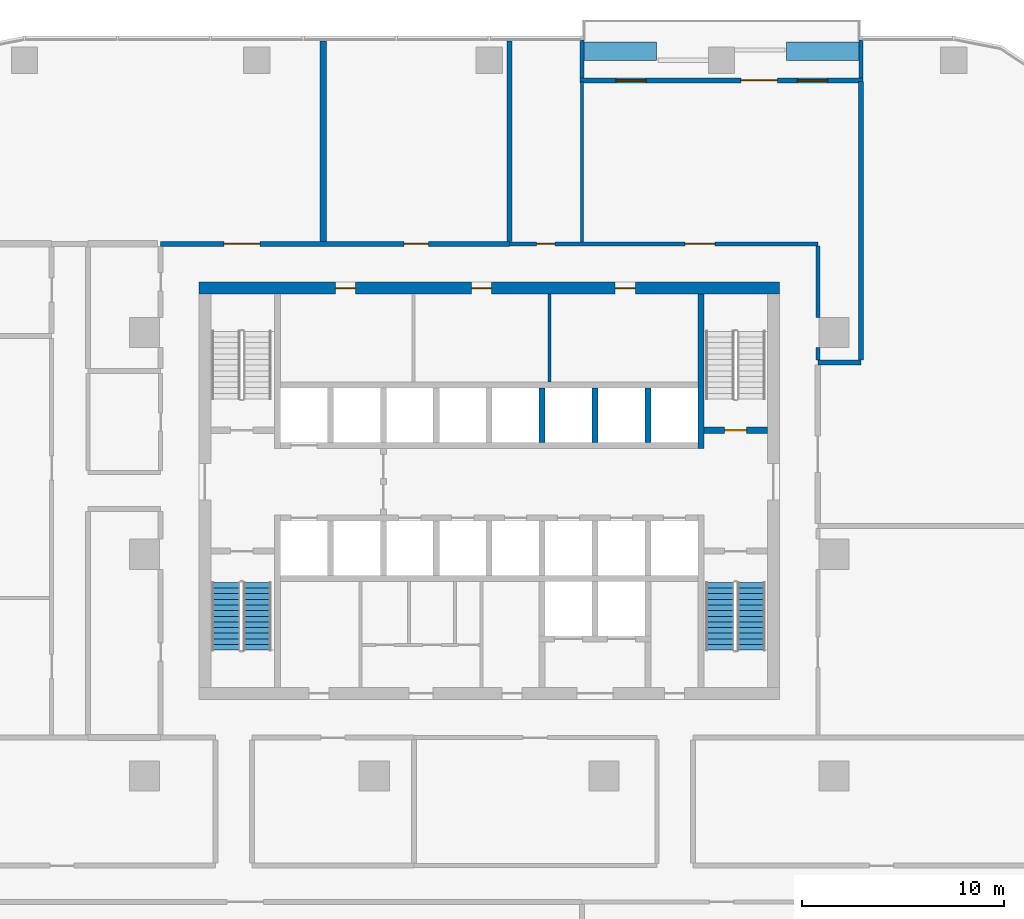
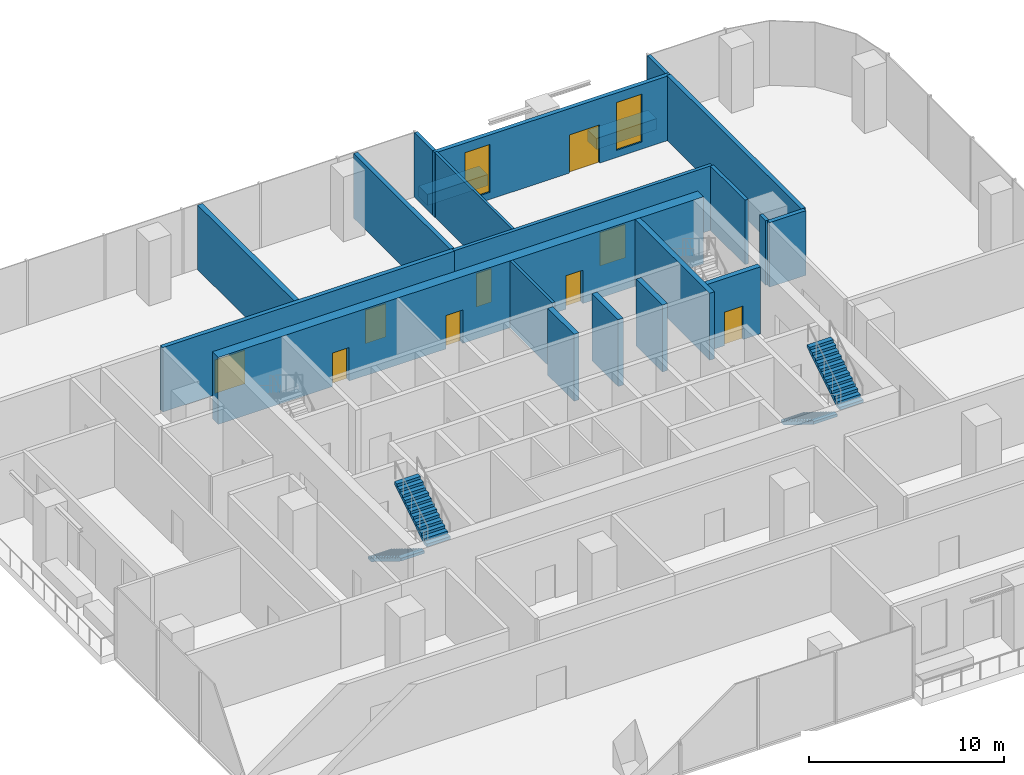
# One storey, part 10 of 15: 21 walls, 9 doors, 4 stair flights, 2 windows, 11 openings, 2 elements without a shape of their own.
"""IFC4 building model written with IfcOpenShell, lengths in metres."""

from ifc_helpers import new_model, si_unit, direction, frame, frame_2d, origin, place, context, subcontext, project, spatial, polyline, rectangle, outline, extrude, material, layer, layer_set, type_object, element, fill, aggregate, save


model = new_model("IFC4")

# Units and contexts
model_context = context("Model", 3, precision=1e-05, world=origin(), true_north=direction((0.0, 1.0)))
body_context = subcontext(model_context, "Body", "Model", "MODEL_VIEW")
ifc_project = project(units=[si_unit("LENGTHUNIT", "METRE"), si_unit("AREAUNIT", "SQUARE_METRE"), si_unit("VOLUMEUNIT", "CUBIC_METRE"), si_unit("PLANEANGLEUNIT", "RADIAN"), si_unit("MASSUNIT", "GRAM", prefix="KILO")], contexts=[model_context])

# Site, building, storey
site_placement = place(None, origin())
site = spatial("IfcSite", under=ifc_project, at=site_placement, CompositionType="ELEMENT")
building_placement = place(site_placement, origin())
building = spatial("IfcBuilding", under=site, at=building_placement, Name="Mopane Tessera Tower", CompositionType="ELEMENT")
storey_placement = place(building_placement, frame((0.0, 0.0, 103.60009765625)))
storey = spatial("IfcBuildingStorey", under=building, at=storey_placement, Name="L20", CompositionType="ELEMENT", Elevation=103.60009765625)

# Wall
ifc_material_1 = material(Name="Fire-rated gypsum board partition")
ifc_layer_1 = layer(ifc_material_1, 0.14990234375)
ifc_layer_set_1 = layer_set([ifc_layer_1], Name="Fire-rated gypsum board partition")
wall_type_1 = type_object("IfcWallType", Name="Core room partition 150 mm", PredefinedType="PARTITIONING", material=ifc_layer_set_1)
wall_1_placement = place(storey_placement, frame((3.0, 8.550048828125, 0.0), z_axis=(0.0, 0.0, 1.0), x_axis=(0.0, 1.0, 0.0)))
element("IfcWall", 1, at=wall_1_placement, inside=storey, type_object=wall_type_1, Name="L20 Room partition", PredefinedType="PARTITIONING", context=body_context, shape_type="SweptSolid", body=[
    extrude(rectangle(XDim=4.349853515625, YDim=0.14990234375, at=frame_2d((2.1748046875, 0.0))), origin(), (0.0, 0.0, 1.0), 4.199951171875),
])

# Wall, openings, doors
ifc_material_2 = material(Name="Concrete C70/85", Category="concrete")
ifc_layer_2 = layer(ifc_material_2, 0.60009765625)
ifc_layer_set_2 = layer_set([ifc_layer_2], Name="Concrete C70/85")
wall_type_2 = type_object("IfcWallType", Name="Core shear wall 600 mm", PredefinedType="SHEAR", material=ifc_layer_set_2)
wall_2_placement = place(storey_placement, frame((-14.39990234375, 13.199951171875, 0.0), z_axis=(0.0, 0.0, 1.0), x_axis=(1.0, 0.0, 0.0)))
wall_2 = element("IfcWall", 2, at=wall_2_placement, inside=storey, type_object=wall_type_2, Name="L20 Core wall north", PredefinedType="SHEAR", context=body_context, shape_type="SweptSolid", body=[
    extrude(rectangle(XDim=28.7998046875, YDim=0.60009765625, at=frame_2d((14.39990234375, 0.0))), origin(), (0.0, 0.0, 1.0), 4.199951171875),
])
opening_1_placement = place(wall_2_placement, frame((6.77490234375, 0.0, 0.0)))
opening_1 = element("IfcOpeningElement", 3, at=opening_1_placement, cuts=wall_2, Name="Opening RD1", PredefinedType="OPENING", context=body_context, shape_type="SweptSolid", body=[
    extrude(rectangle(XDim=1.0, YDim=2.10009765625, at=frame_2d((0.5, 1.050048828125))), frame((0.0, 0.31201171875, 0.0), z_axis=(0.0, -1.0, 0.0), x_axis=(1.0, 0.0, 0.0)), (0.0, 0.0, 1.0), 0.6240234375),
])
opening_2_placement = place(wall_2_placement, frame((13.52490234375, 0.0, 0.0)))
opening_2 = element("IfcOpeningElement", 4, at=opening_2_placement, cuts=wall_2, Name="Opening RD1", PredefinedType="OPENING", context=body_context, shape_type="SweptSolid", body=[
    extrude(rectangle(XDim=1.0, YDim=2.10009765625, at=frame_2d((0.5, 1.050048828125))), frame((0.0, 0.31201171875, 0.0), z_axis=(0.0, -1.0, 0.0), x_axis=(1.0, 0.0, 0.0)), (0.0, 0.0, 1.0), 0.6240234375),
])
opening_3_placement = place(wall_2_placement, frame((20.64990234375, 0.0, 0.0)))
opening_3 = element("IfcOpeningElement", 5, at=opening_3_placement, cuts=wall_2, Name="Opening RD1", PredefinedType="OPENING", context=body_context, shape_type="SweptSolid", body=[
    extrude(rectangle(XDim=1.0, YDim=2.10009765625, at=frame_2d((0.5, 1.050048828125))), frame((0.0, 0.31201171875, 0.0), z_axis=(0.0, -1.0, 0.0), x_axis=(1.0, 0.0, 0.0)), (0.0, 0.0, 1.0), 0.6240234375),
])
ifc_material_3 = material(Name="Timber door", Category="wood")
door_type_1 = type_object("IfcDoorType", Name="Core room door 1000 x 2100", OperationType="SINGLE_SWING_LEFT", PredefinedType="DOOR", material=ifc_material_3)
door_1_placement = place(opening_1_placement, origin())
door_1 = element("IfcDoor", 6, at=door_1_placement, inside=storey, type_object=door_type_1, Name="L20 Room door", OperationType="SINGLE_SWING_LEFT", OverallHeight=2.10009765625, OverallWidth=1.0, PredefinedType="DOOR", context=body_context, shape_type="SweptSolid", body=[
    extrude(rectangle(XDim=1.0, YDim=2.10009765625, at=frame_2d((0.5, 1.050048828125))), frame((0.0, 0.02490234375, 0.0), z_axis=(0.0, -1.0, 0.0), x_axis=(1.0, 0.0, 0.0)), (0.0, 0.0, 1.0), 0.050048828125),
])
fill(opening_1, door_1)
door_2_placement = place(opening_2_placement, origin())
door_2 = element("IfcDoor", 7, at=door_2_placement, inside=storey, type_object=door_type_1, Name="L20 Room door", OperationType="SINGLE_SWING_LEFT", OverallHeight=2.10009765625, OverallWidth=1.0, PredefinedType="DOOR", context=body_context, shape_type="SweptSolid", body=[
    extrude(rectangle(XDim=1.0, YDim=2.10009765625, at=frame_2d((0.5, 1.050048828125))), frame((0.0, 0.02490234375, 0.0), z_axis=(0.0, -1.0, 0.0), x_axis=(1.0, 0.0, 0.0)), (0.0, 0.0, 1.0), 0.050048828125),
])
fill(opening_2, door_2)
door_3_placement = place(opening_3_placement, origin())
door_3 = element("IfcDoor", 8, at=door_3_placement, inside=storey, type_object=door_type_1, Name="L20 Room door", OperationType="SINGLE_SWING_LEFT", OverallHeight=2.10009765625, OverallWidth=1.0, PredefinedType="DOOR", context=body_context, shape_type="SweptSolid", body=[
    extrude(rectangle(XDim=1.0, YDim=2.10009765625, at=frame_2d((0.5, 1.050048828125))), frame((0.0, 0.02490234375, 0.0), z_axis=(0.0, -1.0, 0.0), x_axis=(1.0, 0.0, 0.0)), (0.0, 0.0, 1.0), 0.050048828125),
])
fill(opening_3, door_3)

# Wall
ifc_material_4 = material(Name="Concrete C60/75", Category="concrete")
ifc_layer_3 = layer(ifc_material_4, 0.300048828125)
ifc_layer_set_3 = layer_set([ifc_layer_3], Name="Concrete C60/75")
wall_type_3 = type_object("IfcWallType", Name="Core spine wall 300 mm", PredefinedType="SHEAR", material=ifc_layer_set_3)
wall_3_placement = place(storey_placement, frame((10.5, 5.25, 0.0), z_axis=(0.0, 0.0, 1.0), x_axis=(0.0, 1.0, 0.0)))
element("IfcWall", 9, at=wall_3_placement, inside=storey, type_object=wall_type_3, Name="L20 Core spine wall", PredefinedType="SHEAR", context=body_context, shape_type="SweptSolid", body=[
    extrude(rectangle(XDim=7.64990234375, YDim=0.300048828125, at=frame_2d((3.824951171875, 0.0))), origin(), (0.0, 0.0, 1.0), 4.199951171875),
])

# Wall, openings, doors
ifc_material_5 = material(Name="Gypsum board on steel studs, two layers each face, mineral wool infill", Category="steel")
ifc_layer_4 = layer(ifc_material_5, 0.199951171875)
ifc_layer_set_4 = layer_set([ifc_layer_4], Name="Gypsum board on steel studs, two layers each face, mineral wool infill")
wall_type_4 = type_object("IfcWallType", Name="Gypsum board corridor wall 200, rated EI 60", PredefinedType="PARTITIONING", material=ifc_layer_set_4)
wall_4_placement = place(storey_placement, frame((1.0, 15.39990234375, 0.0), z_axis=(0.0, 0.0, 1.0), x_axis=(1.0, 0.0, 0.0)))
wall_4 = element("IfcWall", 10, at=wall_4_placement, inside=storey, type_object=wall_type_4, Name="Partition L20:019", PredefinedType="PARTITIONING", context=body_context, shape_type="SweptSolid", body=[
    extrude(rectangle(XDim=15.300048828125, YDim=0.199951171875, at=frame_2d((7.64990234375, 0.0))), origin(), (0.0, 0.0, 1.0), 4.0498046875),
])
opening_4_placement = place(wall_4_placement, frame((1.35498046875, 0.0, 0.0)))
opening_4 = element("IfcOpeningElement", 11, at=opening_4_placement, cuts=wall_4, Name="Opening L20-12", PredefinedType="OPENING", context=body_context, shape_type="SweptSolid", body=[
    extrude(rectangle(XDim=0.89990234375, YDim=2.10009765625, at=frame_2d((0.449951171875, 1.050048828125))), frame((0.0, 0.112060546875, 0.0), z_axis=(0.0, -1.0, 0.0), x_axis=(1.0, 0.0, 0.0)), (0.0, 0.0, 1.0), 0.223876953125),
])
opening_5_placement = place(wall_4_placement, frame((8.705078125, 0.0, 0.0)))
opening_5 = element("IfcOpeningElement", 12, at=opening_5_placement, cuts=wall_4, Name="Opening L20-17", PredefinedType="OPENING", context=body_context, shape_type="SweptSolid", body=[
    extrude(rectangle(XDim=1.5, YDim=2.10009765625, at=frame_2d((0.75, 1.050048828125))), frame((0.0, 0.112060546875, 0.0), z_axis=(0.0, -1.0, 0.0), x_axis=(1.0, 0.0, 0.0)), (0.0, 0.0, 1.0), 0.223876953125),
])
ifc_material_6 = material(Name="Timber veneered steel-framed fire door", Category="steel")
door_type_2 = type_object("IfcDoorType", Name="Fire door FD60 900 x 2100", OperationType="SINGLE_SWING_LEFT", PredefinedType="DOOR", material=ifc_material_6)
door_4_placement = place(opening_4_placement, origin())
door_4 = element("IfcDoor", 13, at=door_4_placement, inside=storey, type_object=door_type_2, Name="Door L20-12", ObjectType="D10A", OperationType="SINGLE_SWING_LEFT", OverallHeight=2.10009765625, OverallWidth=0.89990234375, PredefinedType="DOOR", context=body_context, shape_type="SweptSolid", body=[
    extrude(rectangle(XDim=0.89990234375, YDim=2.10009765625, at=frame_2d((0.449951171875, 1.050048828125))), frame((0.0, 0.02490234375, 0.0), z_axis=(0.0, -1.0, 0.0), x_axis=(1.0, 0.0, 0.0)), (0.0, 0.0, 1.0), 0.050048828125),
])
fill(opening_4, door_4)
ifc_material_7 = material(Name="Timber veneered steel-framed fire door", Category="steel")
door_type_3 = type_object("IfcDoorType", Name="Fire door pair FD60 1500 x 2100", OperationType="DOUBLE_DOOR_SINGLE_SWING", PredefinedType="DOOR", material=ifc_material_7)
door_5_placement = place(opening_5_placement, origin())
door_5 = element("IfcDoor", 14, at=door_5_placement, inside=storey, type_object=door_type_3, Name="Door L20-17", ObjectType="D17A", OperationType="DOUBLE_DOOR_SINGLE_SWING", OverallHeight=2.10009765625, OverallWidth=1.5, PredefinedType="DOOR", context=body_context, shape_type="SweptSolid", body=[
    extrude(rectangle(XDim=1.5, YDim=2.10009765625, at=frame_2d((0.75, 1.050048828125))), frame((0.0, 0.02490234375, 0.0), z_axis=(0.0, -1.0, 0.0), x_axis=(1.0, 0.0, 0.0)), (0.0, 0.0, 1.0), 0.050048828125),
])
fill(opening_5, door_5)

# Walls
wall_5_placement = place(storey_placement, frame((16.300048828125, 9.625, 0.0), z_axis=(0.0, 0.0, 1.0), x_axis=(0.0, 1.0, 0.0)))
element("IfcWall", 15, at=wall_5_placement, inside=storey, type_object=wall_type_4, Name="Partition L20:045", PredefinedType="PARTITIONING", context=body_context, shape_type="SweptSolid", body=[
    extrude(rectangle(XDim=0.625, YDim=0.199951171875, at=frame_2d((0.3125, 0.0))), origin(), (0.0, 0.0, 1.0), 4.0498046875),
])
wall_6_placement = place(storey_placement, frame((16.300048828125, 11.75, 0.0), z_axis=(0.0, 0.0, 1.0), x_axis=(0.0, 1.0, 0.0)))
element("IfcWall", 16, at=wall_6_placement, inside=storey, type_object=wall_type_4, Name="Partition L20:046", PredefinedType="PARTITIONING", context=body_context, shape_type="SweptSolid", body=[
    extrude(rectangle(XDim=3.550048828125, YDim=0.199951171875, at=frame_2d((1.77490234375, 0.0))), origin(), (0.0, 0.0, 1.0), 4.0498046875),
])
ifc_material_8 = material(Name="Gypsum board on steel studs, mineral wool infill", Category="steel")
ifc_layer_5 = layer(ifc_material_8, 0.14990234375)
ifc_layer_set_5 = layer_set([ifc_layer_5], Name="Gypsum board on steel studs, mineral wool infill")
wall_type_5 = type_object("IfcWallType", Name="Gypsum board partition 150, rated EI 60", PredefinedType="PARTITIONING", material=ifc_layer_set_5)
wall_7_placement = place(storey_placement, frame((4.610107421875, 15.5, 0.0), z_axis=(0.0, 0.0, 1.0), x_axis=(0.0, 1.0, 0.0)))
element("IfcWall", 17, at=wall_7_placement, inside=storey, type_object=wall_type_5, Name="Partition L20:039", PredefinedType="PARTITIONING", context=body_context, shape_type="SweptSolid", body=[
    extrude(rectangle(XDim=7.949951171875, YDim=0.14990234375, at=frame_2d((3.97509765625, 0.0))), origin(), (0.0, 0.0, 1.0), 4.0498046875),
])

# Wall, opening, door
ifc_material_9 = material(Name="Concrete C50/60", Category="concrete")
ifc_layer_6 = layer(ifc_material_9, 0.300048828125)
ifc_layer_set_6 = layer_set([ifc_layer_6], Name="Concrete C50/60")
wall_type_6 = type_object("IfcWallType", Name="Lift and stair shaft wall 300 mm", PredefinedType="SOLIDWALL", material=ifc_layer_set_6)
wall_8_placement = place(storey_placement, frame((10.64990234375, 6.14990234375, 0.0), z_axis=(0.0, 0.0, 1.0), x_axis=(1.0, 0.0, 0.0)))
wall_8 = element("IfcWall", 18, at=wall_8_placement, inside=storey, type_object=wall_type_6, Name="L20 Stair enclosure wall", PredefinedType="SOLIDWALL", context=body_context, shape_type="SweptSolid", body=[
    extrude(rectangle(XDim=3.150146484375, YDim=0.300048828125, at=frame_2d((1.5751953125, 0.0))), origin(), (0.0, 0.0, 1.0), 4.199951171875),
])
opening_6_placement = place(wall_8_placement, frame((1.02490234375, 0.0, 0.0)))
opening_6 = element("IfcOpeningElement", 19, at=opening_6_placement, cuts=wall_8, Name="Opening SD1", PredefinedType="OPENING", context=body_context, shape_type="SweptSolid", body=[
    extrude(rectangle(XDim=1.10009765625, YDim=2.10009765625, at=frame_2d((0.550048828125, 1.050048828125))), frame((0.0, 0.162109375, 0.0), z_axis=(0.0, -1.0, 0.0), x_axis=(1.0, 0.0, 0.0)), (0.0, 0.0, 1.0), 0.323974609375),
])
ifc_material_10 = material(Name="Steel fire door", Category="steel")
door_type_4 = type_object("IfcDoorType", Name="Stair fire door 1100 x 2100", OperationType="SINGLE_SWING_LEFT", PredefinedType="DOOR", material=ifc_material_10)
door_6_placement = place(opening_6_placement, origin())
door_6 = element("IfcDoor", 20, at=door_6_placement, inside=storey, type_object=door_type_4, Name="L20 Stair door ST4", OperationType="SINGLE_SWING_RIGHT", OverallHeight=2.10009765625, OverallWidth=1.10009765625, PredefinedType="DOOR", context=body_context, shape_type="SweptSolid", body=[
    extrude(rectangle(XDim=1.10009765625, YDim=2.10009765625, at=frame_2d((0.550048828125, 1.050048828125))), frame((0.0, 0.02490234375, 0.0), z_axis=(0.0, -1.0, 0.0), x_axis=(1.0, 0.0, 0.0)), (0.0, 0.0, 1.0), 0.050048828125),
])
fill(opening_6, door_6)

# Walls
for number, where, z_axis, x_axis, name in (
    (21, (2.625, 5.550048828125, 0.0), (0.0, 0.0, 1.0), (0.0, 1.0, 0.0), "L20 Lift shaft wall"),
    (22, (5.25, 5.550048828125, 0.0), (0.0, 0.0, 1.0), (0.0, 1.0, 0.0), "L20 Lift shaft wall"),
    (23, (7.875, 5.550048828125, 0.0), (0.0, 0.0, 1.0), (0.0, 1.0, 0.0), "L20 Lift shaft wall"),
):
    element("IfcWall", number, at=place(storey_placement, frame(where, z_axis=z_axis, x_axis=x_axis)), inside=storey, type_object=wall_type_6, Name=name, PredefinedType="SOLIDWALL", context=body_context, shape_type="SweptSolid", body=[
        extrude(rectangle(XDim=2.699951171875, YDim=0.300048828125, at=frame_2d((1.35009765625, 0.0))), origin(), (0.0, 0.0, 1.0), 4.199951171875),
    ])
ifc_material_11 = material(Name="Reinforced concrete C32/40 with waterproofing", Category="concrete")
ifc_layer_7 = layer(ifc_material_11, 0.89990234375)
ifc_layer_set_7 = layer_set([ifc_layer_7], Name="Reinforced concrete C32/40 with waterproofing")
wall_type_7 = type_object("IfcWallType", Name="Planter trough 3600 x 900", PredefinedType="STANDARD", material=ifc_layer_set_7)
for number, where, z_axis, x_axis, name in (
    (24, (18.340087890625, 24.949951171875, 0.0), (0.0, 0.0, 1.0), (-1.0, 0.0, 0.0), "e:nw:L20:N1:pl0"),
    (25, (8.31005859375, 24.949951171875, 0.0), (0.0, 0.0, 1.0), (-1.0, 0.0, 0.0), "e:nw:L20:N1:pl1"),
):
    element("IfcWall", number, at=place(storey_placement, frame(where, z_axis=z_axis, x_axis=x_axis)), inside=storey, type_object=wall_type_7, Name=name, PredefinedType="STANDARD", context=body_context, shape_type="SweptSolid", body=[
        extrude(rectangle(XDim=3.60009765625, YDim=0.89990234375, at=frame_2d((1.800048828125, 0.0))), origin(), (0.0, 0.0, 1.0), 0.699951171875),
    ])
ifc_material_12 = material(Name="Plastered concrete blockwork C20/25", Category="masonry")
ifc_layer_8 = layer(ifc_material_12, 0.300048828125)
ifc_layer_set_8 = layer_set([ifc_layer_8], Name="Plastered concrete blockwork C20/25")
wall_type_8 = type_object("IfcWallType", Name="Plastered blockwork separation wall 300, rated EI 120", PredefinedType="PARTITIONING", material=ifc_layer_set_8)
wall_9_placement = place(storey_placement, frame((-8.22998046875, 15.52490234375, 0.0), z_axis=(0.0, 0.0, 1.0), x_axis=(0.0, 1.0, 0.0)))
element("IfcWall", 26, at=wall_9_placement, inside=storey, type_object=wall_type_8, Name="Partition L20:036", PredefinedType="PARTITIONING", context=body_context, shape_type="SweptSolid", body=[
    extrude(rectangle(XDim=9.925048828125, YDim=0.300048828125, at=frame_2d((4.96240234375, 0.0))), origin(), (0.0, 0.0, 1.0), 4.0498046875),
])
ifc_material_13 = material(Name="Plastered concrete blockwork C20/25", Category="masonry")
ifc_layer_9 = layer(ifc_material_13, 0.25)
ifc_layer_set_9 = layer_set([ifc_layer_9], Name="Plastered concrete blockwork C20/25")
wall_type_9 = type_object("IfcWallType", Name="Plastered blockwork wall 250, rated EI 120", PredefinedType="PARTITIONING", material=ifc_layer_set_9)
wall_10_placement = place(storey_placement, frame((16.300048828125, 9.5, 0.0), z_axis=(0.0, 0.0, 1.0), x_axis=(1.0, 0.0, 0.0)))
element("IfcWall", 27, at=wall_10_placement, inside=storey, type_object=wall_type_9, Name="Partition L20:017", PredefinedType="PARTITIONING", context=body_context, shape_type="SweptSolid", body=[
    extrude(rectangle(XDim=2.139892578125, YDim=0.25, at=frame_2d((1.06982421875, 0.0))), origin(), (0.0, 0.0, 1.0), 4.0498046875),
])

# Wall, openings, doors
wall_11_placement = place(storey_placement, frame((-16.300048828125, 15.39990234375, 0.0), z_axis=(0.0, 0.0, 1.0), x_axis=(1.0, 0.0, 0.0)))
wall_11 = element("IfcWall", 28, at=wall_11_placement, inside=storey, type_object=wall_type_9, Name="Partition L20:021", PredefinedType="PARTITIONING", context=body_context, shape_type="SweptSolid", body=[
    extrude(rectangle(XDim=17.300048828125, YDim=0.25, at=frame_2d((8.64990234375, 0.0))), origin(), (0.0, 0.0, 1.0), 4.0498046875),
])
opening_7_placement = place(wall_11_placement, frame((12.0849609375, 0.0, 0.0)))
opening_7 = element("IfcOpeningElement", 29, at=opening_7_placement, cuts=wall_11, Name="Opening L20-05", PredefinedType="OPENING", context=body_context, shape_type="SweptSolid", body=[
    extrude(rectangle(XDim=1.199951171875, YDim=2.10009765625, at=frame_2d((0.60009765625, 1.050048828125))), frame((0.0, 0.136962890625, 0.0), z_axis=(0.0, -1.0, 0.0), x_axis=(1.0, 0.0, 0.0)), (0.0, 0.0, 1.0), 0.27392578125),
])
opening_8_placement = place(wall_11_placement, frame((3.135009765625, 0.0, 0.0)))
opening_8 = element("IfcOpeningElement", 30, at=opening_8_placement, cuts=wall_11, Name="Opening L20-10", PredefinedType="OPENING", context=body_context, shape_type="SweptSolid", body=[
    extrude(rectangle(XDim=1.800048828125, YDim=2.10009765625, at=frame_2d((0.89990234375, 1.050048828125))), frame((0.0, 0.136962890625, 0.0), z_axis=(0.0, -1.0, 0.0), x_axis=(1.0, 0.0, 0.0)), (0.0, 0.0, 1.0), 0.27392578125),
])
ifc_material_14 = material(Name="Timber veneered steel-framed fire door", Category="steel")
door_type_5 = type_object("IfcDoorType", Name="Fire door FD120 1200 x 2100", OperationType="SINGLE_SWING_LEFT", PredefinedType="DOOR", material=ifc_material_14)
door_7_placement = place(opening_7_placement, origin())
door_7 = element("IfcDoor", 31, at=door_7_placement, inside=storey, type_object=door_type_5, Name="Door L20-05", ObjectType="D15B", OperationType="SINGLE_SWING_LEFT", OverallHeight=2.10009765625, OverallWidth=1.199951171875, PredefinedType="DOOR", context=body_context, shape_type="SweptSolid", body=[
    extrude(rectangle(XDim=1.199951171875, YDim=2.10009765625, at=frame_2d((0.60009765625, 1.050048828125))), frame((0.0, 0.02490234375, 0.0), z_axis=(0.0, -1.0, 0.0), x_axis=(1.0, 0.0, 0.0)), (0.0, 0.0, 1.0), 0.050048828125),
])
fill(opening_7, door_7)
ifc_material_15 = material(Name="Timber veneered steel-framed fire door", Category="steel")
door_type_6 = type_object("IfcDoorType", Name="Fire door pair FD120 1800 x 2100", OperationType="DOUBLE_DOOR_SINGLE_SWING", PredefinedType="DOOR", material=ifc_material_15)
door_8_placement = place(opening_8_placement, origin())
door_8 = element("IfcDoor", 32, at=door_8_placement, inside=storey, type_object=door_type_6, Name="Door L20-10", ObjectType="D20B", OperationType="DOUBLE_DOOR_SINGLE_SWING", OverallHeight=2.10009765625, OverallWidth=1.800048828125, PredefinedType="DOOR", context=body_context, shape_type="SweptSolid", body=[
    extrude(rectangle(XDim=1.800048828125, YDim=2.10009765625, at=frame_2d((0.89990234375, 1.050048828125))), frame((0.0, 0.02490234375, 0.0), z_axis=(0.0, -1.0, 0.0), x_axis=(1.0, 0.0, 0.0)), (0.0, 0.0, 1.0), 0.050048828125),
])
fill(opening_8, door_8)

# Walls
wall_12_placement = place(storey_placement, frame((1.0, 15.52490234375, 0.0), z_axis=(0.0, 0.0, 1.0), x_axis=(0.0, 1.0, 0.0)))
element("IfcWall", 33, at=wall_12_placement, inside=storey, type_object=wall_type_9, Name="Partition L20:038", PredefinedType="PARTITIONING", context=body_context, shape_type="SweptSolid", body=[
    extrude(rectangle(XDim=9.925048828125, YDim=0.25, at=frame_2d((4.96240234375, 0.0))), origin(), (0.0, 0.0, 1.0), 4.0498046875),
])
wall_13_placement = place(storey_placement, frame((18.43994140625, 9.625, 0.0), z_axis=(0.0, 0.0, 1.0), x_axis=(0.0, 1.0, 0.0)))
element("IfcWall", 34, at=wall_13_placement, inside=storey, type_object=wall_type_9, Name="Partition L20:049", PredefinedType="PARTITIONING", context=body_context, shape_type="SweptSolid", body=[
    extrude(rectangle(XDim=13.824951171875, YDim=0.25, at=frame_2d((6.91259765625, 0.0))), origin(), (0.0, 0.0, 1.0), 4.0498046875),
])
ifc_material_16 = material(Name="Blockwork with glazed tile facing", Category="masonry")
ifc_layer_10 = layer(ifc_material_16, 0.199951171875)
ifc_layer_set_10 = layer_set([ifc_layer_10], Name="Blockwork with glazed tile facing")
wall_type_10 = type_object("IfcWallType", Name="Terrace cheek wall 200", PredefinedType="STANDARD", material=ifc_layer_set_10)
for number, where, z_axis, x_axis, name in (
    (35, (18.43994140625, 25.5, 0.0), (0.0, 0.0, 1.0), (0.0, -1.0, 0.0), "e:nw:L20:N1:cheeka"),
    (36, (4.610107421875, 25.5, 0.0), (0.0, 0.0, 1.0), (0.0, -1.0, 0.0), "e:nw:L20:N1:cheekb"),
):
    element("IfcWall", number, at=place(storey_placement, frame(where, z_axis=z_axis, x_axis=x_axis)), inside=storey, type_object=wall_type_10, Name=name, PredefinedType="STANDARD", context=body_context, shape_type="SweptSolid", body=[
        extrude(rectangle(XDim=1.875, YDim=0.199951171875, at=frame_2d((0.9375, 0.0))), origin(), (0.0, 0.0, 1.0), 4.0498046875),
    ])

# Wall, openings, windows, door
ifc_material_17 = material(Name="Blockwork with turquoise glazed tile facing", Category="masonry")
ifc_layer_11 = layer(ifc_material_17, 0.25)
ifc_layer_set_11 = layer_set([ifc_layer_11], Name="Blockwork with turquoise glazed tile facing")
wall_type_11 = type_object("IfcWallType", Name="Tile-clad external wall 250, turquoise", PredefinedType="STANDARD", material=ifc_layer_set_11)
wall_14_placement = place(storey_placement, frame((18.5400390625, 23.5, 0.0), z_axis=(0.0, 0.0, 1.0), x_axis=(-1.0, 0.0, 0.0)))
wall_14 = element("IfcWall", 37, at=wall_14_placement, inside=storey, type_object=wall_type_11, Name="e:nw:L20:N1:back", PredefinedType="STANDARD", context=body_context, shape_type="SweptSolid", body=[
    extrude(rectangle(XDim=14.030029296875, YDim=0.25, at=frame_2d((7.01513671875, 0.0))), origin(), (0.0, 0.0, 1.0), 4.0498046875),
])
opening_9_placement = place(wall_14_placement, frame((1.75, 0.0, 0.449951171875)))
opening_9 = element("IfcOpeningElement", 38, at=opening_9_placement, cuts=wall_14, Name="Opening NW201A", PredefinedType="OPENING", context=body_context, shape_type="SweptSolid", body=[
    extrude(rectangle(XDim=1.5, YDim=3.0, at=frame_2d((0.75, 1.5))), frame((0.0, 0.136962890625, 0.0), z_axis=(0.0, -1.0, 0.0), x_axis=(1.0, 0.0, 0.0)), (0.0, 0.0, 1.0), 0.27392578125),
])
opening_10_placement = place(wall_14_placement, frame((4.25, 0.0, 0.0)))
opening_10 = element("IfcOpeningElement", 39, at=opening_10_placement, cuts=wall_14, Name="Opening ND201", PredefinedType="OPENING", context=body_context, shape_type="SweptSolid", body=[
    extrude(rectangle(XDim=1.800048828125, YDim=2.39990234375, at=frame_2d((0.89990234375, 1.199951171875))), frame((0.0, 0.136962890625, 0.0), z_axis=(0.0, -1.0, 0.0), x_axis=(1.0, 0.0, 0.0)), (0.0, 0.0, 1.0), 0.27392578125),
])
opening_11_placement = place(wall_14_placement, frame((10.75, 0.0, 0.449951171875)))
opening_11 = element("IfcOpeningElement", 40, at=opening_11_placement, cuts=wall_14, Name="Opening NW201B", PredefinedType="OPENING", context=body_context, shape_type="SweptSolid", body=[
    extrude(rectangle(XDim=1.5, YDim=3.0, at=frame_2d((0.75, 1.5))), frame((0.0, 0.136962890625, 0.0), z_axis=(0.0, -1.0, 0.0), x_axis=(1.0, 0.0, 0.0)), (0.0, 0.0, 1.0), 0.27392578125),
])
ifc_material_18 = material(Name="Clear laminated glass", Category="glass")
window_type = type_object("IfcWindowType", Name="Fixed window 1500 x 3000", PartitioningType="SINGLE_PANEL", PredefinedType="WINDOW", material=ifc_material_18)
window_1_placement = place(opening_9_placement, origin())
window_1 = element("IfcWindow", 41, at=window_1_placement, inside=storey, type_object=window_type, Name="e:nw:L20:N1:win0", OverallHeight=3.0, OverallWidth=1.5, PartitioningType="SINGLE_PANEL", PredefinedType="WINDOW", context=body_context, shape_type="SweptSolid", body=[
    extrude(rectangle(XDim=1.5, YDim=3.0, at=frame_2d((0.75, 1.5))), frame((0.0, 0.030029296875, 0.0), z_axis=(0.0, -1.0, 0.0), x_axis=(1.0, 0.0, 0.0)), (0.0, 0.0, 1.0), 0.06005859375),
])
fill(opening_9, window_1)
window_2_placement = place(opening_11_placement, origin())
window_2 = element("IfcWindow", 42, at=window_2_placement, inside=storey, type_object=window_type, Name="e:nw:L20:N1:win2", OverallHeight=3.0, OverallWidth=1.5, PartitioningType="SINGLE_PANEL", PredefinedType="WINDOW", context=body_context, shape_type="SweptSolid", body=[
    extrude(rectangle(XDim=1.5, YDim=3.0, at=frame_2d((0.75, 1.5))), frame((0.0, 0.030029296875, 0.0), z_axis=(0.0, -1.0, 0.0), x_axis=(1.0, 0.0, 0.0)), (0.0, 0.0, 1.0), 0.06005859375),
])
fill(opening_11, window_2)
ifc_material_19 = material(Name="Aluminium and clear glass", Category="aluminium")
door_type_7 = type_object("IfcDoorType", Name="Terrace double door 1800 x 2400", OperationType="DOUBLE_DOOR_SINGLE_SWING", PredefinedType="DOOR", material=ifc_material_19)
door_9_placement = place(opening_10_placement, origin())
door_9 = element("IfcDoor", 43, at=door_9_placement, inside=storey, type_object=door_type_7, Name="e:nw:L20:N1:door", ObjectType="D1", OperationType="DOUBLE_DOOR_SINGLE_SWING", OverallHeight=2.39990234375, OverallWidth=1.800048828125, PredefinedType="DOOR", context=body_context, shape_type="SweptSolid", body=[
    extrude(rectangle(XDim=1.800048828125, YDim=2.39990234375, at=frame_2d((0.89990234375, 1.199951171875))), frame((0.0, 0.02490234375, 0.0), z_axis=(0.0, -1.0, 0.0), x_axis=(1.0, 0.0, 0.0)), (0.0, 0.0, 1.0), 0.050048828125),
])
fill(opening_10, door_9)

# Stair, stair flights
ifc_material_20 = material(Name="Concrete C50/60", Category="concrete")
stair_type = type_object("IfcStairType", Name="Escape stair 1400 mm, riser 173 mm", PredefinedType="HALF_TURN_STAIR", material=ifc_material_20)
stair_1_placement = place(storey_placement, origin())
stair_1 = element("IfcStair", 44, at=stair_1_placement, inside=storey, type_object=stair_type, Name="L20 Escape stair south-west", PredefinedType="HALF_TURN_STAIR")
ifc_material_21 = material(Name="Concrete C50/60", Category="concrete")
stair_flight_type = type_object("IfcStairFlightType", Name="Escape stair flight 1400 mm", PredefinedType="STRAIGHT", material=ifc_material_21)
stair_flight_1_placement = place(storey_placement, frame((-13.050048828125, -1.39990234375, 0.0), z_axis=(0.0, 0.0, 1.0), x_axis=(0.0, -1.0, 0.0)))
stair_flight_1 = element("IfcStairFlight", 45, at=stair_flight_1_placement, type_object=stair_flight_type, Name="ST1 flight 1", NumberOfRisers=13, NumberOfTreads=12, PredefinedType="STRAIGHT", RiserHeight=0.173076923, TreadLength=0.28, context=body_context, shape_type="SweptSolid", body=[
    extrude(outline(polyline([(0.0, 0.0), (0.0, 0.173095703125), (0.280029296875, 0.173095703125), (0.280029296875, 0.34619140625), (0.56005859375, 0.34619140625), (0.56005859375, 0.519287109375), (0.840087890625, 0.519287109375), (0.840087890625, 0.6923828125), (1.1201171875, 0.6923828125), (1.1201171875, 0.865478515625), (1.39990234375, 0.865478515625), (1.39990234375, 1.03857421875), (1.679931640625, 1.03857421875), (1.679931640625, 1.21142578125), (1.9599609375, 1.21142578125), (1.9599609375, 1.384521484375), (2.239990234375, 1.384521484375), (2.239990234375, 1.5576171875), (2.52001953125, 1.5576171875), (2.52001953125, 1.730712890625), (2.800048828125, 1.730712890625), (2.800048828125, 1.90380859375), (3.080078125, 1.90380859375), (3.080078125, 2.076904296875), (3.360107421875, 2.076904296875), (3.360107421875, 2.25), (3.360107421875, 1.900634765625), (0.28515625, 0.0), (0.0, 0.0)])), frame((0.0, 0.699951171875, 0.0), z_axis=(0.0, -1.0, 0.0), x_axis=(1.0, 0.0, 0.0)), (0.0, 0.0, 1.0), 1.39990234375),
])
stair_flight_2_placement = place(storey_placement, frame((-11.5, -4.760009765625, 2.25), z_axis=(0.0, 0.0, 1.0), x_axis=(0.0, 1.0, 0.0)))
stair_flight_2 = element("IfcStairFlight", 46, at=stair_flight_2_placement, type_object=stair_flight_type, Name="ST1 flight 2", NumberOfRisers=13, NumberOfTreads=12, PredefinedType="STRAIGHT", RiserHeight=0.173076923, TreadLength=0.28, context=body_context, shape_type="SweptSolid", body=[
    extrude(outline(polyline([(0.0, 0.0), (0.0, 0.173095703125), (0.280029296875, 0.173095703125), (0.280029296875, 0.34619140625), (0.56005859375, 0.34619140625), (0.56005859375, 0.519287109375), (0.840087890625, 0.519287109375), (0.840087890625, 0.6923828125), (1.1201171875, 0.6923828125), (1.1201171875, 0.865478515625), (1.39990234375, 0.865478515625), (1.39990234375, 1.03857421875), (1.679931640625, 1.03857421875), (1.679931640625, 1.21142578125), (1.9599609375, 1.21142578125), (1.9599609375, 1.384521484375), (2.239990234375, 1.384521484375), (2.239990234375, 1.5576171875), (2.52001953125, 1.5576171875), (2.52001953125, 1.730712890625), (2.800048828125, 1.730712890625), (2.800048828125, 1.90380859375), (3.080078125, 1.90380859375), (3.080078125, 2.076904296875), (3.360107421875, 2.076904296875), (3.360107421875, 2.25), (3.360107421875, 1.900634765625), (0.28515625, 0.0), (0.0, 0.0)])), frame((0.0, 0.699951171875, 0.0), z_axis=(0.0, -1.0, 0.0), x_axis=(1.0, 0.0, 0.0)), (0.0, 0.0, 1.0), 1.39990234375),
])
aggregate(stair_1, [stair_flight_1, stair_flight_2])

stair_2_placement = place(storey_placement, origin())
stair_2 = element("IfcStair", 47, at=stair_2_placement, inside=storey, type_object=stair_type, Name="L20 Escape stair south-east", PredefinedType="HALF_TURN_STAIR")
stair_flight_3_placement = place(storey_placement, frame((11.449951171875, -1.39990234375, 0.0), z_axis=(0.0, 0.0, 1.0), x_axis=(0.0, -1.0, 0.0)))
stair_flight_3 = element("IfcStairFlight", 48, at=stair_flight_3_placement, type_object=stair_flight_type, Name="ST3 flight 1", NumberOfRisers=13, NumberOfTreads=12, PredefinedType="STRAIGHT", RiserHeight=0.173076923, TreadLength=0.28, context=body_context, shape_type="SweptSolid", body=[
    extrude(outline(polyline([(0.0, 0.0), (0.0, 0.173095703125), (0.280029296875, 0.173095703125), (0.280029296875, 0.34619140625), (0.56005859375, 0.34619140625), (0.56005859375, 0.519287109375), (0.840087890625, 0.519287109375), (0.840087890625, 0.6923828125), (1.1201171875, 0.6923828125), (1.1201171875, 0.865478515625), (1.39990234375, 0.865478515625), (1.39990234375, 1.03857421875), (1.679931640625, 1.03857421875), (1.679931640625, 1.21142578125), (1.9599609375, 1.21142578125), (1.9599609375, 1.384521484375), (2.239990234375, 1.384521484375), (2.239990234375, 1.5576171875), (2.52001953125, 1.5576171875), (2.52001953125, 1.730712890625), (2.800048828125, 1.730712890625), (2.800048828125, 1.90380859375), (3.080078125, 1.90380859375), (3.080078125, 2.076904296875), (3.360107421875, 2.076904296875), (3.360107421875, 2.25), (3.360107421875, 1.900634765625), (0.28515625, 0.0), (0.0, 0.0)])), frame((0.0, 0.699951171875, 0.0), z_axis=(0.0, -1.0, 0.0), x_axis=(1.0, 0.0, 0.0)), (0.0, 0.0, 1.0), 1.39990234375),
])
stair_flight_4_placement = place(storey_placement, frame((13.0, -4.760009765625, 2.25), z_axis=(0.0, 0.0, 1.0), x_axis=(0.0, 1.0, 0.0)))
stair_flight_4 = element("IfcStairFlight", 49, at=stair_flight_4_placement, type_object=stair_flight_type, Name="ST3 flight 2", NumberOfRisers=13, NumberOfTreads=12, PredefinedType="STRAIGHT", RiserHeight=0.173076923, TreadLength=0.28, context=body_context, shape_type="SweptSolid", body=[
    extrude(outline(polyline([(0.0, 0.0), (0.0, 0.173095703125), (0.280029296875, 0.173095703125), (0.280029296875, 0.34619140625), (0.56005859375, 0.34619140625), (0.56005859375, 0.519287109375), (0.840087890625, 0.519287109375), (0.840087890625, 0.6923828125), (1.1201171875, 0.6923828125), (1.1201171875, 0.865478515625), (1.39990234375, 0.865478515625), (1.39990234375, 1.03857421875), (1.679931640625, 1.03857421875), (1.679931640625, 1.21142578125), (1.9599609375, 1.21142578125), (1.9599609375, 1.384521484375), (2.239990234375, 1.384521484375), (2.239990234375, 1.5576171875), (2.52001953125, 1.5576171875), (2.52001953125, 1.730712890625), (2.800048828125, 1.730712890625), (2.800048828125, 1.90380859375), (3.080078125, 1.90380859375), (3.080078125, 2.076904296875), (3.360107421875, 2.076904296875), (3.360107421875, 2.25), (3.360107421875, 1.900634765625), (0.28515625, 0.0), (0.0, 0.0)])), frame((0.0, 0.699951171875, 0.0), z_axis=(0.0, -1.0, 0.0), x_axis=(1.0, 0.0, 0.0)), (0.0, 0.0, 1.0), 1.39990234375),
])
aggregate(stair_2, [stair_flight_3, stair_flight_4])

save(model, "model.ifc")
